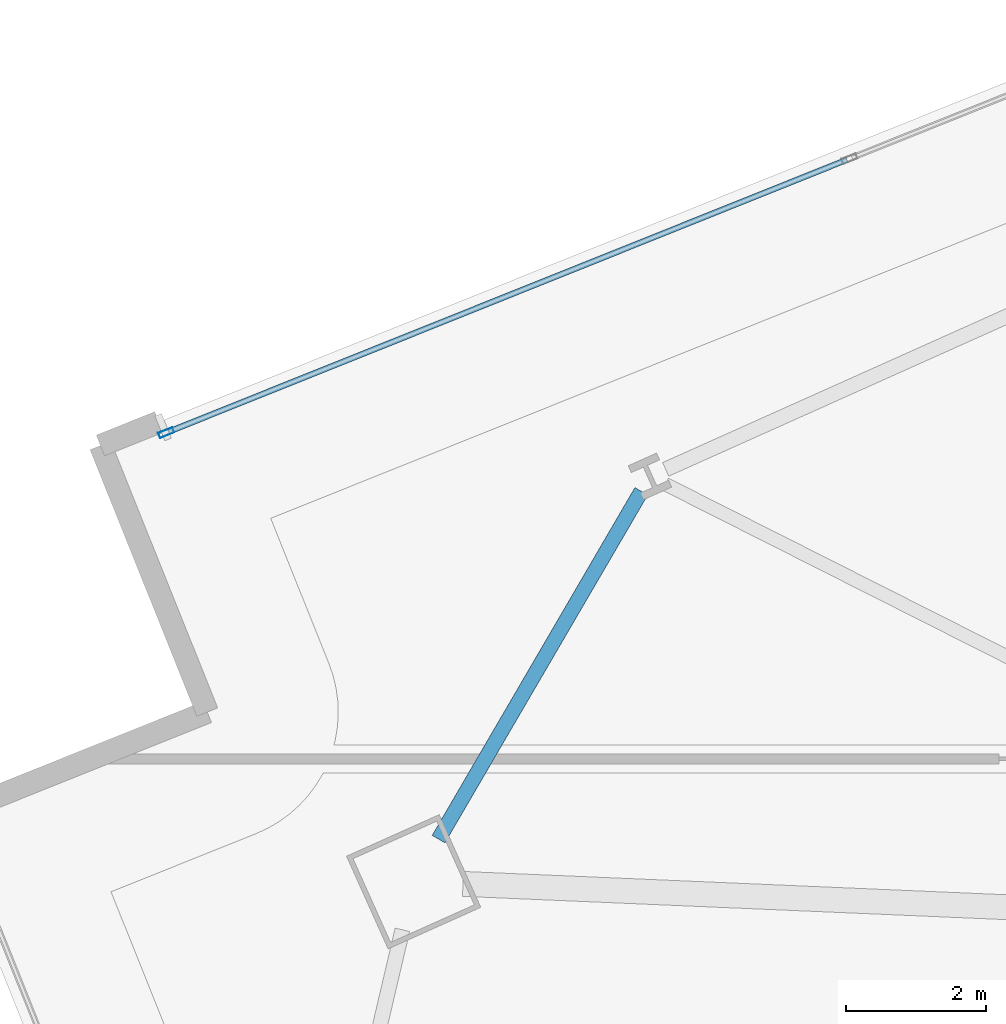
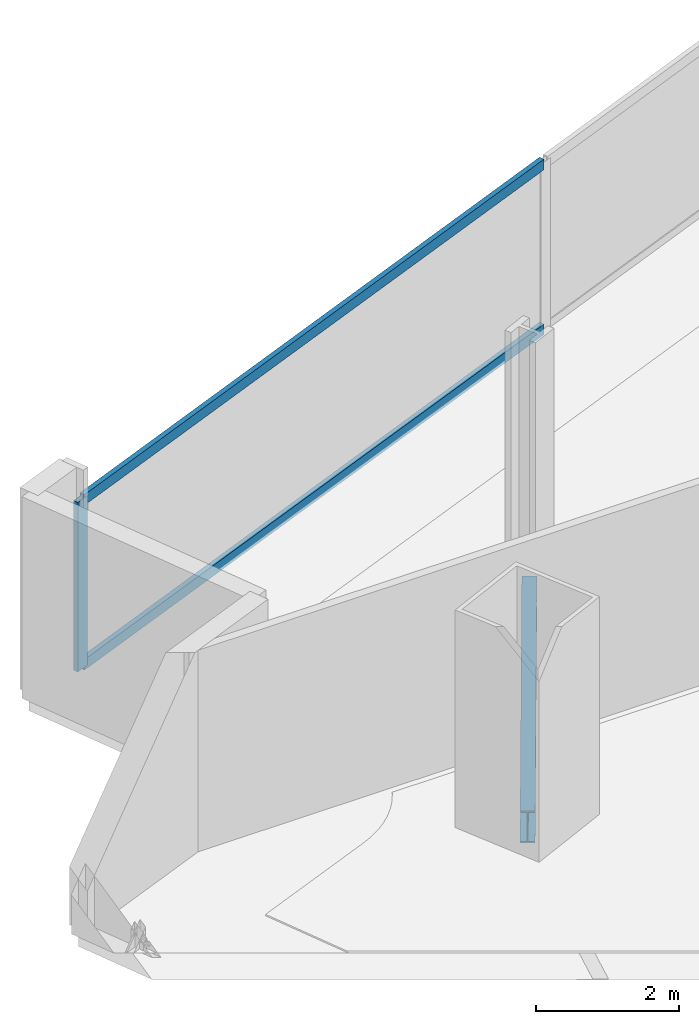
# One storey, part 16 of 33: 3 members, 1 beam, 1 element without a shape of its own.
"""IFC4 building model written with IfcOpenShell, lengths in metres."""

from ifc_helpers import new_model, si_unit, direction, frame, origin, origin_2d, place, context, subcontext, project, spatial, hollow_rectangle, i_section, extrude, material, material_profile, profile_set, type_object, element, aggregate, save


model = new_model("IFC4")

# Units and contexts
model_context = context("Model", 3, precision=1e-05, world=origin(), true_north=direction((0.0, 1.0)))
body_context = subcontext(model_context, "Body", "Model", "MODEL_VIEW")
ifc_project = project(units=[si_unit("LENGTHUNIT", "METRE"), si_unit("AREAUNIT", "SQUARE_METRE"), si_unit("VOLUMEUNIT", "CUBIC_METRE"), si_unit("PLANEANGLEUNIT", "RADIAN"), si_unit("MASSUNIT", "GRAM", prefix="KILO")], contexts=[model_context])

# Site, building, storey
site_placement = place(None, origin())
site = spatial("IfcSite", under=ifc_project, at=site_placement, CompositionType="ELEMENT")
building_placement = place(site_placement, origin())
building = spatial("IfcBuilding", under=site, at=building_placement, Name="Haldenkirk Collegiate Tower", CompositionType="ELEMENT")
storey_placement = place(building_placement, frame((0.0, 0.0, 101.699951171875)))
storey = spatial("IfcBuildingStorey", under=building, at=storey_placement, Name="L24", CompositionType="ELEMENT", Elevation=101.699951171875)

# Beam
ifc_material_1 = material(Name="Steel ASTM A992 Grade 50", Category="steel")
ifc_material_profile_1 = material_profile(ifc_material_1, i_section(OverallWidth=0.2119140625, OverallDepth=0.5439453125, WebThickness=0.01318359375, FlangeThickness=0.021240234375, at=origin_2d()), Name="W21X83")
ifc_profile_set_1 = profile_set([ifc_material_profile_1], Name="Steel ASTM A992 Grade 50")
beam_type = type_object("IfcBeamType", Name="BM-SPANDREL-W21X83", PredefinedType="SPANDREL", material=ifc_profile_set_1)
beam_placement = place(storey_placement, frame((14.035888671875, 40.27001953125, -0.572021484375), z_axis=(-0.503649179098, -0.863908273137, 0.0), x_axis=(0.863908273137, -0.503649179098, 0.0)))
element("IfcBeam", 1, at=beam_placement, inside=storey, type_object=beam_type, Name="L24 perimeter spandrel beam 12", PredefinedType="SPANDREL", context=body_context, shape_type="SweptSolid", body=[
    extrude(i_section(OverallWidth=0.2119140625, OverallDepth=0.5439453125, WebThickness=0.01318359375, FlangeThickness=0.021240234375, at=origin_2d()), origin(), (0.0, 0.0, 1.0), 5.748046875),
])

# Curtain wall, members
ifc_material_2 = material(Name="Anodised architectural bronze aluminium", Category="aluminium")
curtain_wall_type = type_object("IfcCurtainWallType", Name="CW-SYS1-CONVEX-LOW", PredefinedType="USERDEFINED", material=ifc_material_2)
curtain_wall_placement = place(storey_placement, origin())
curtain_wall = element("IfcCurtainWall", 2, at=curtain_wall_placement, inside=storey, type_object=curtain_wall_type, Name="L24 Lower tower convex bronze-framed unitised curtain wall", ObjectType="UNITISED CURTAIN WALL", PredefinedType="USERDEFINED")
ifc_material_profile_2 = material_profile(ifc_material_2, hollow_rectangle(XDim=0.080078125, YDim=0.219970703125, WallThickness=0.0048828125, at=origin_2d()), Name="CW-MUL-1A")
ifc_profile_set_2 = profile_set([ifc_material_profile_2], Name="Anodised architectural bronze aluminium")
member_type_1 = type_object("IfcMemberType", Name="CW-MUL-1A", PredefinedType="MULLION", material=ifc_profile_set_2)
member_1_placement = place(storey_placement, frame((7.252685546875, 41.106201171875, 0.0), z_axis=(0.0, 0.0, 1.0), x_axis=(-0.372174984928, 0.928162583061, 0.0)))
member_1 = element("IfcMember", 3, at=member_1_placement, type_object=member_type_1, Name="CW-1A mullion 1", PredefinedType="MULLION", context=body_context, shape_type="SweptSolid", body=[
    extrude(hollow_rectangle(XDim=0.080078125, YDim=0.219970703125, WallThickness=0.0048828125, at=origin_2d()), origin(), (0.0, 0.0, 1.0), 2.901123046875),
])
ifc_material_profile_3 = material_profile(ifc_material_2, hollow_rectangle(XDim=0.080078125, YDim=0.179931640625, WallThickness=0.0048828125, at=origin_2d()), Name="CW-TRN-1A")
ifc_profile_set_3 = profile_set([ifc_material_profile_3], Name="Anodised architectural bronze aluminium")
member_type_2 = type_object("IfcMemberType", Name="CW-TRN-1A", PredefinedType="USERDEFINED", material=ifc_profile_set_3)
member_2_placement = place(storey_placement, frame((7.289794921875, 41.12109375, 0.0400390625), z_axis=(0.928168033023, 0.372161393045, 0.0), x_axis=(-0.372161393045, 0.928168033023, 0.0)))
member_2 = element("IfcMember", 4, at=member_2_placement, type_object=member_type_2, Name="CW-1A transom 1.1", ObjectType="TRANSOM", PredefinedType="USERDEFINED", context=body_context, shape_type="SweptSolid", body=[
    extrude(hollow_rectangle(XDim=0.080078125, YDim=0.179931640625, WallThickness=0.0048828125, at=origin_2d()), origin(), (0.0, 0.0, 1.0), 10.429931640625),
])
member_3_placement = place(storey_placement, frame((7.289794921875, 41.12109375, 2.861083984375), z_axis=(0.928168033023, 0.372161393045, 0.0), x_axis=(-0.372161393045, 0.928168033023, 0.0)))
member_3 = element("IfcMember", 5, at=member_3_placement, type_object=member_type_2, Name="CW-1A transom 1.2", ObjectType="TRANSOM", PredefinedType="USERDEFINED", context=body_context, shape_type="SweptSolid", body=[
    extrude(hollow_rectangle(XDim=0.080078125, YDim=0.179931640625, WallThickness=0.0048828125, at=origin_2d()), origin(), (0.0, 0.0, 1.0), 10.429931640625),
])
aggregate(curtain_wall, [member_1, member_2, member_3])

save(model, "model.ifc")
